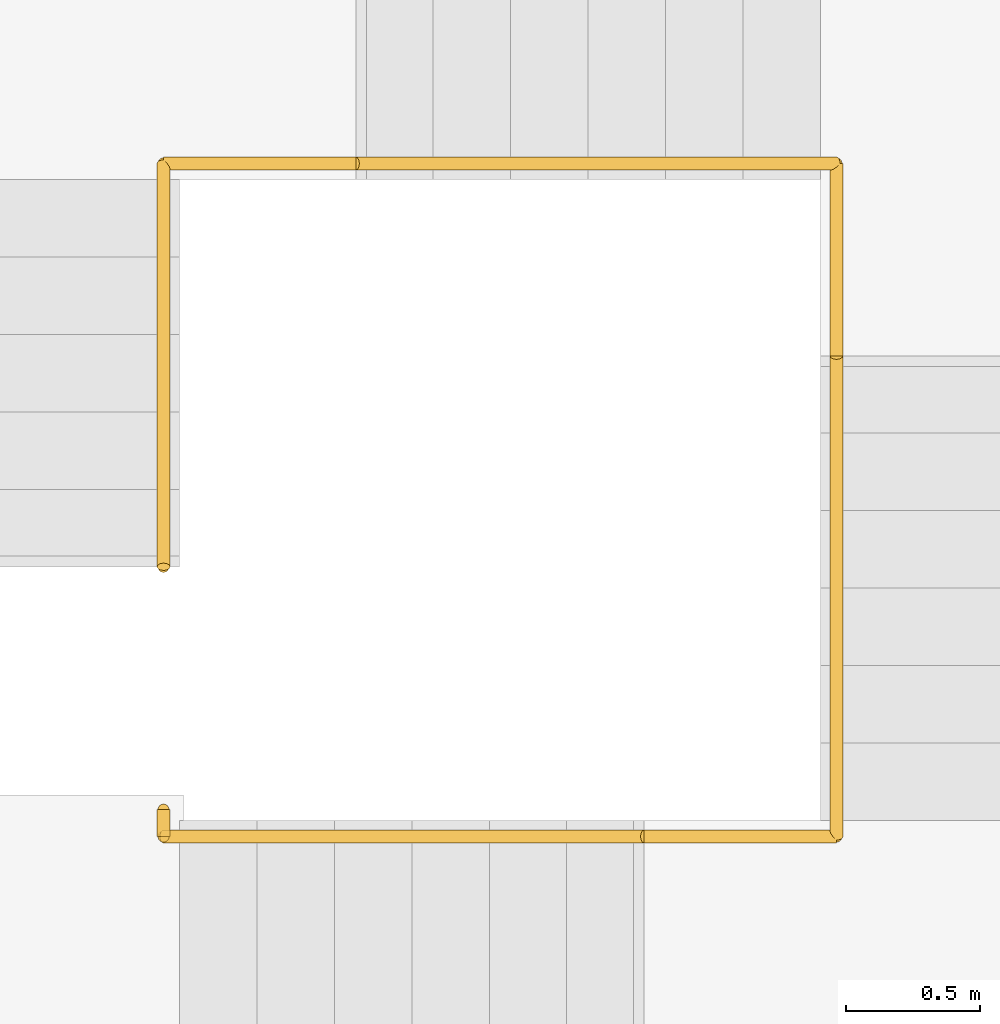
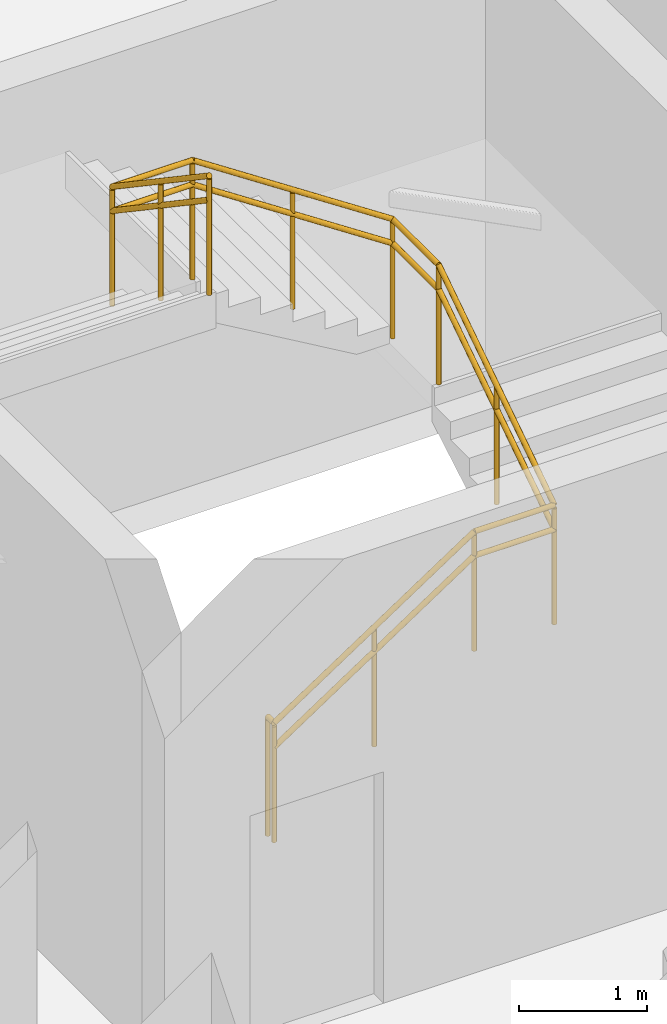
# One storey, part 57 of 58: 3 railings.
"""IFC4 building model written with IfcOpenShell, lengths in metres."""

from ifc_helpers import new_model, si_unit, direction, frame, origin, origin_2d, place, context, subcontext, project, spatial, circle, extrude, material, type_object, element, save


model = new_model("IFC4")

# Units and contexts
model_context = context("Model", 3, precision=1e-05, world=origin(), true_north=direction((0.0, 1.0)))
body_context = subcontext(model_context, "Body", "Model", "MODEL_VIEW")
ifc_project = project(units=[si_unit("LENGTHUNIT", "METRE"), si_unit("AREAUNIT", "SQUARE_METRE"), si_unit("VOLUMEUNIT", "CUBIC_METRE"), si_unit("PLANEANGLEUNIT", "RADIAN"), si_unit("MASSUNIT", "GRAM", prefix="KILO")], contexts=[model_context])

# Site, building, storey
site_placement = place(None, origin())
site = spatial("IfcSite", under=ifc_project, at=site_placement, CompositionType="ELEMENT")
building_placement = place(site_placement, origin())
building = spatial("IfcBuilding", under=site, at=building_placement, Name="Sillaruma Civic Art Gallery", CompositionType="ELEMENT")
storey_placement = place(building_placement, frame((0.0, 0.0, 28.56005859375)))
storey = spatial("IfcBuildingStorey", under=building, at=storey_placement, Name="L05", CompositionType="ELEMENT", Elevation=28.56005859375)

# Railings
ifc_material = material(Name="Stainless Steel AISI 316", Category="steel")
railing_type_1 = type_object("IfcRailingType", Name="RAL-BAL-1150", PredefinedType="BALUSTRADE", material=ifc_material)
railing_1_placement = place(storey_placement, frame((100.840087890625, 53.18994140625, 0.0)))
element("IfcRailing", 1, at=railing_1_placement, inside=storey, type_object=railing_type_1, Name="Stair Floor Edge Guard (ST-04:L05)", PredefinedType="BALUSTRADE", context=body_context, shape_type="SweptSolid", body=[
    extrude(circle(Radius=0.02392578125, at=origin_2d()), frame((0.0, 0.0, 1.1259765625), z_axis=(0.0, 1.0, 0.0), x_axis=(-1.0, 0.0, 0.0)), (0.0, 0.0, 1.0), 0.10009765625),
    extrude(circle(Radius=0.02099609375, at=origin_2d()), origin(), (0.0, 0.0, 1.0), 1.101806640625),
    extrude(circle(Radius=0.02099609375, at=origin_2d()), frame((0.0, 0.10009765625, 0.0)), (0.0, 0.0, 1.0), 1.101806640625),
])
railing_2_placement = place(storey_placement, frame((100.840087890625, 53.18994140625, 0.0)))
element("IfcRailing", 2, at=railing_2_placement, inside=storey, type_object=railing_type_1, Name="Stair Well Balustrade (ST-04-L05)", PredefinedType="BALUSTRADE", context=body_context, shape_type="SweptSolid", body=[
    extrude(circle(Radius=0.02392578125, at=origin_2d()), frame((0.0, 0.0, 1.1259765625), z_axis=(0.834168000855, 0.0, 0.551510422703), x_axis=(0.0, 1.0, 0.0)), (0.0, 0.0, 1.0), 2.15771484375),
    extrude(circle(Radius=0.02392578125, at=origin_2d()), frame((1.7998046875, 0.0, 2.31591796875), z_axis=(1.0, 0.0, 0.0), x_axis=(0.0, 1.0, 0.0)), (0.0, 0.0, 1.0), 0.72021484375),
    extrude(circle(Radius=0.02392578125, at=origin_2d()), frame((2.52001953125, 0.0, 2.31591796875), z_axis=(0.0, 0.834202413191, 0.551458369984), x_axis=(-1.0, 0.0, 0.0)), (0.0, 0.0, 1.0), 2.15771484375),
    extrude(circle(Radius=0.02392578125, at=origin_2d()), frame((2.52001953125, 1.800048828125, 3.505859375), z_axis=(0.0, 1.0, 0.0), x_axis=(-1.0, 0.0, 0.0)), (0.0, 0.0, 1.0), 0.719970703125),
    extrude(circle(Radius=0.02392578125, at=origin_2d()), frame((2.52001953125, 2.52001953125, 3.505859375), z_axis=(-0.834202413191, 0.0, 0.551458369984), x_axis=(0.0, -1.0, 0.0)), (0.0, 0.0, 1.0), 2.15771484375),
    extrude(circle(Radius=0.02392578125, at=origin_2d()), frame((0.719970703125, 2.52001953125, 4.69580078125), z_axis=(-1.0, 0.0, 0.0), x_axis=(0.0, -1.0, 0.0)), (0.0, 0.0, 1.0), 0.719970703125),
    extrude(circle(Radius=0.02392578125, at=origin_2d()), frame((0.0, 2.52001953125, 4.69580078125), z_axis=(0.0, -0.828654473869, 0.559760451387), x_axis=(1.0, 0.0, 0.0)), (0.0, 0.0, 1.0), 1.822265625),
    extrude(circle(Radius=0.02099609375, at=origin_2d()), origin(), (0.0, 0.0, 1.0), 1.101806640625),
    extrude(circle(Radius=0.02099609375, at=origin_2d()), frame((0.89990234375, 0.0, 0.594970703125)), (0.0, 0.0, 1.0), 1.101806640625),
    extrude(circle(Radius=0.02099609375, at=origin_2d()), frame((1.7998046875, 0.0, 1.18994140625)), (0.0, 0.0, 1.0), 1.101806640625),
    extrude(circle(Radius=0.02099609375, at=origin_2d()), frame((2.52001953125, 0.0, 1.18994140625)), (0.0, 0.0, 1.0), 1.101806640625),
    extrude(circle(Radius=0.02099609375, at=origin_2d()), frame((2.52001953125, 0.89990234375, 1.784912109375)), (0.0, 0.0, 1.0), 1.101806640625),
    extrude(circle(Radius=0.02099609375, at=origin_2d()), frame((2.52001953125, 1.800048828125, 2.3798828125)), (0.0, 0.0, 1.0), 1.101806640625),
    extrude(circle(Radius=0.02099609375, at=origin_2d()), frame((2.52001953125, 2.52001953125, 2.3798828125)), (0.0, 0.0, 1.0), 1.101806640625),
    extrude(circle(Radius=0.02099609375, at=origin_2d()), frame((1.6201171875, 2.52001953125, 2.974853515625)), (0.0, 0.0, 1.0), 1.101806640625),
    extrude(circle(Radius=0.02099609375, at=origin_2d()), frame((0.719970703125, 2.52001953125, 3.56982421875)), (0.0, 0.0, 1.0), 1.101806640625),
    extrude(circle(Radius=0.02099609375, at=origin_2d()), frame((0.0, 2.52001953125, 3.56982421875)), (0.0, 0.0, 1.0), 1.101806640625),
    extrude(circle(Radius=0.02099609375, at=origin_2d()), frame((0.0, 1.76513671875, 4.079833984375)), (0.0, 0.0, 1.0), 1.101806640625),
    extrude(circle(Radius=0.02099609375, at=origin_2d()), frame((0.0, 1.010009765625, 4.58984375)), (0.0, 0.0, 1.0), 1.101806640625),
])
railing_type_2 = type_object("IfcRailingType", Name="RAL-HND-920", PredefinedType="HANDRAIL", material=ifc_material)
railing_3_placement = place(storey_placement, frame((100.840087890625, 53.18994140625, 0.0)))
element("IfcRailing", 3, at=railing_3_placement, inside=storey, type_object=railing_type_2, Name="Stair Continuous Handrail (ST-04-L05)", PredefinedType="HANDRAIL", context=body_context, shape_type="SweptSolid", body=[
    extrude(circle(Radius=0.02392578125, at=origin_2d()), frame((0.0, 0.0, 0.89599609375), z_axis=(0.834168000855, 0.0, 0.551510422703), x_axis=(0.0, 1.0, 0.0)), (0.0, 0.0, 1.0), 2.15771484375),
    extrude(circle(Radius=0.02392578125, at=origin_2d()), frame((1.7998046875, 0.0, 2.0859375), z_axis=(1.0, 0.0, 0.0), x_axis=(0.0, 1.0, 0.0)), (0.0, 0.0, 1.0), 0.72021484375),
    extrude(circle(Radius=0.02392578125, at=origin_2d()), frame((2.52001953125, 0.0, 2.0859375), z_axis=(0.0, 0.834202413191, 0.551458369984), x_axis=(-1.0, 0.0, 0.0)), (0.0, 0.0, 1.0), 2.15771484375),
    extrude(circle(Radius=0.02392578125, at=origin_2d()), frame((2.52001953125, 1.800048828125, 3.27587890625), z_axis=(0.0, 1.0, 0.0), x_axis=(-1.0, 0.0, 0.0)), (0.0, 0.0, 1.0), 0.719970703125),
    extrude(circle(Radius=0.02392578125, at=origin_2d()), frame((2.52001953125, 2.52001953125, 3.27587890625), z_axis=(-0.834202413191, 0.0, 0.551458369984), x_axis=(0.0, -1.0, 0.0)), (0.0, 0.0, 1.0), 2.15771484375),
    extrude(circle(Radius=0.02392578125, at=origin_2d()), frame((0.719970703125, 2.52001953125, 4.4658203125), z_axis=(-1.0, 0.0, 0.0), x_axis=(0.0, -1.0, 0.0)), (0.0, 0.0, 1.0), 0.719970703125),
    extrude(circle(Radius=0.02392578125, at=origin_2d()), frame((0.0, 2.52001953125, 4.4658203125), z_axis=(0.0, -0.828654473869, 0.559760451387), x_axis=(1.0, 0.0, 0.0)), (0.0, 0.0, 1.0), 1.822265625),
    extrude(circle(Radius=0.02099609375, at=origin_2d()), origin(), (0.0, 0.0, 1.0), 0.871826171875),
    extrude(circle(Radius=0.02099609375, at=origin_2d()), frame((0.89990234375, 0.0, 0.594970703125)), (0.0, 0.0, 1.0), 0.871826171875),
    extrude(circle(Radius=0.02099609375, at=origin_2d()), frame((1.7998046875, 0.0, 1.18994140625)), (0.0, 0.0, 1.0), 0.871826171875),
    extrude(circle(Radius=0.02099609375, at=origin_2d()), frame((2.52001953125, 0.0, 1.18994140625)), (0.0, 0.0, 1.0), 0.871826171875),
    extrude(circle(Radius=0.02099609375, at=origin_2d()), frame((2.52001953125, 0.89990234375, 1.784912109375)), (0.0, 0.0, 1.0), 0.871826171875),
    extrude(circle(Radius=0.02099609375, at=origin_2d()), frame((2.52001953125, 1.800048828125, 2.3798828125)), (0.0, 0.0, 1.0), 0.871826171875),
    extrude(circle(Radius=0.02099609375, at=origin_2d()), frame((2.52001953125, 2.52001953125, 2.3798828125)), (0.0, 0.0, 1.0), 0.871826171875),
    extrude(circle(Radius=0.02099609375, at=origin_2d()), frame((1.6201171875, 2.52001953125, 2.974853515625)), (0.0, 0.0, 1.0), 0.871826171875),
    extrude(circle(Radius=0.02099609375, at=origin_2d()), frame((0.719970703125, 2.52001953125, 3.56982421875)), (0.0, 0.0, 1.0), 0.871826171875),
    extrude(circle(Radius=0.02099609375, at=origin_2d()), frame((0.0, 2.52001953125, 3.56982421875)), (0.0, 0.0, 1.0), 0.871826171875),
    extrude(circle(Radius=0.02099609375, at=origin_2d()), frame((0.0, 1.76513671875, 4.079833984375)), (0.0, 0.0, 1.0), 0.871826171875),
    extrude(circle(Radius=0.02099609375, at=origin_2d()), frame((0.0, 1.010009765625, 4.58984375)), (0.0, 0.0, 1.0), 0.871826171875),
])

save(model, "model.ifc")
